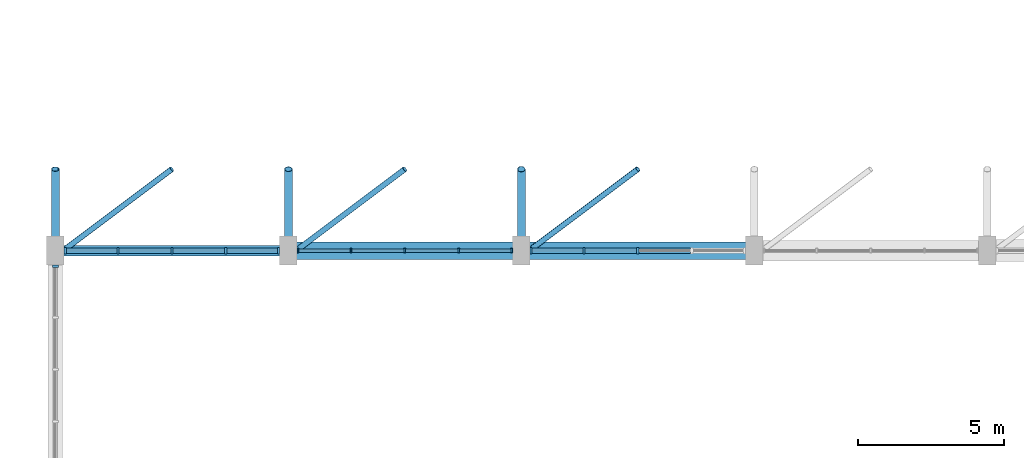
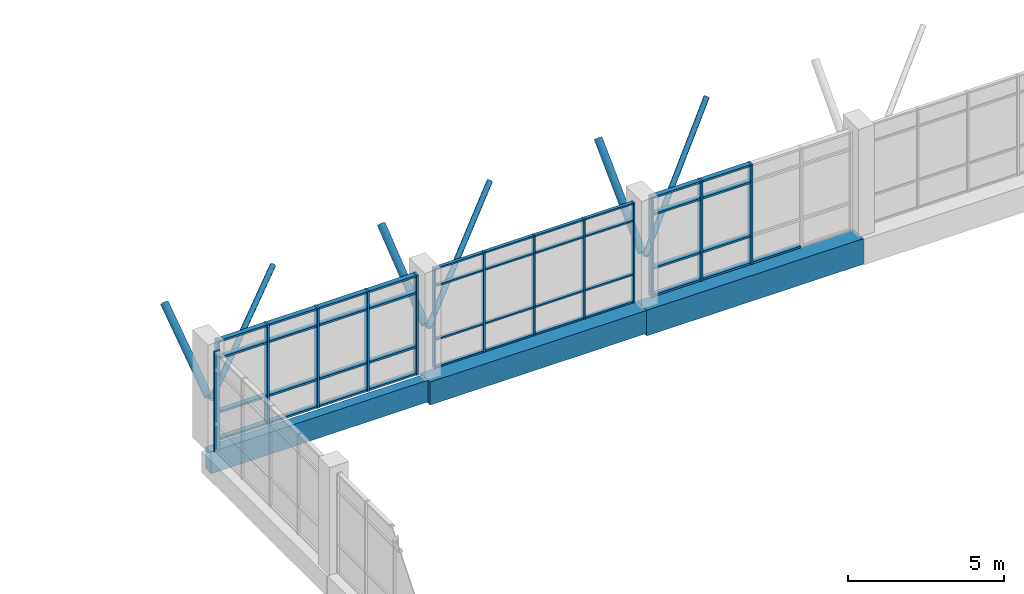
# One storey, part 7 of 44: 61 members, 3 beams, 4 elements without a shape of their own.
"""IFC4 building model written with IfcOpenShell, lengths in metres."""

from ifc_helpers import new_model, si_unit, direction, frame, origin, origin_2d, place, context, subcontext, project, spatial, rectangle, hollow_circle, extrude, material, material_profile, profile_set, type_object, element, aggregate, save


model = new_model("IFC4")

# Units and contexts
model_context = context("Model", 3, precision=1e-05, world=origin(), true_north=direction((0.0, 1.0)))
body_context = subcontext(model_context, "Body", "Model", "MODEL_VIEW")
ifc_project = project(units=[si_unit("LENGTHUNIT", "METRE"), si_unit("AREAUNIT", "SQUARE_METRE"), si_unit("VOLUMEUNIT", "CUBIC_METRE"), si_unit("PLANEANGLEUNIT", "RADIAN"), si_unit("MASSUNIT", "GRAM", prefix="KILO")], contexts=[model_context])

# Site, building, storey
site_placement = place(None, origin())
site = spatial("IfcSite", under=ifc_project, at=site_placement, CompositionType="ELEMENT")
building_placement = place(site_placement, origin())
building = spatial("IfcBuilding", under=site, at=building_placement, Name="Tenunan Teduh Sports Hall", CompositionType="ELEMENT")
storey_placement = place(building_placement, frame((0.0, 0.0, 19.199951171875)))
storey = spatial("IfcBuildingStorey", under=building, at=storey_placement, Name="L04", CompositionType="ELEMENT", Elevation=19.199951171875)

# Beams
ifc_material_1 = material(Name="Concrete C40/50", Category="concrete")
ifc_material_profile_1 = material_profile(ifc_material_1, rectangle(XDim=0.60009765625, YDim=1.0, at=origin_2d()), Name="RCB 600x1000")
ifc_profile_set_1 = profile_set([ifc_material_profile_1], Name="Concrete C40/50")
beam_type_1 = type_object("IfcBeamType", Name="BM-RC-600x1000", PredefinedType="BEAM", material=ifc_profile_set_1)
beam_1_placement = place(storey_placement, frame((22.0, 46.0, -0.77001953125), z_axis=(1.0, 0.0, 0.0), x_axis=(0.0, 1.0, 0.0)))
element("IfcBeam", 1, at=beam_1_placement, inside=storey, type_object=beam_type_1, Name="BM-B-18-L04-2018", PredefinedType="BEAM", context=body_context, shape_type="SweptSolid", body=[
    extrude(rectangle(XDim=0.60009765625, YDim=1.0, at=origin_2d()), origin(), (0.0, 0.0, 1.0), 8.0),
])
ifc_material_2 = material(Name="Concrete C40/50", Category="concrete")
ifc_material_profile_2 = material_profile(ifc_material_2, rectangle(XDim=0.60009765625, YDim=0.89990234375, at=origin_2d()), Name="RCB 600x900")
ifc_profile_set_2 = profile_set([ifc_material_profile_2], Name="Concrete C40/50")
beam_type_2 = type_object("IfcBeamType", Name="BM-RC-600x900", PredefinedType="BEAM", material=ifc_profile_set_2)
beam_2_placement = place(storey_placement, frame((14.0, 46.0, -0.719970703125), z_axis=(1.0, 0.0, 0.0), x_axis=(0.0, 1.0, 0.0)))
element("IfcBeam", 2, at=beam_2_placement, inside=storey, type_object=beam_type_2, Name="BM-B-17-L04-2017", PredefinedType="BEAM", context=body_context, shape_type="SweptSolid", body=[
    extrude(rectangle(XDim=0.60009765625, YDim=0.89990234375, at=origin_2d()), origin(), (0.0, 0.0, 1.0), 8.0),
])
ifc_material_3 = material(Name="Concrete C40/50", Category="concrete")
ifc_material_profile_3 = material_profile(ifc_material_3, rectangle(XDim=0.35009765625, YDim=0.85009765625, at=origin_2d()), Name="SPB 350x850")
ifc_profile_set_3 = profile_set([ifc_material_profile_3], Name="Concrete C40/50")
beam_type_3 = type_object("IfcBeamType", Name="BM-SP-350x850", PredefinedType="SPANDREL", material=ifc_profile_set_3)
beam_3_placement = place(storey_placement, frame((6.0, 46.0, -0.695068359375), z_axis=(1.0, 0.0, 0.0), x_axis=(0.0, 1.0, 0.0)))
element("IfcBeam", 3, at=beam_3_placement, inside=storey, type_object=beam_type_3, Name="BM-SP-02-L04-2016", PredefinedType="SPANDREL", context=body_context, shape_type="SweptSolid", body=[
    extrude(rectangle(XDim=0.35009765625, YDim=0.85009765625, at=origin_2d()), origin(), (0.0, 0.0, 1.0), 8.0),
])

# Curtain wall, members
ifc_material_4 = material(Name="Anodised aluminium", Category="aluminium")
curtain_wall_type = type_object("IfcCurtainWallType", Name="CW-UNIT-2", PredefinedType="NOTDEFINED", material=ifc_material_4)
curtain_wall_1_placement = place(storey_placement, origin())
curtain_wall_1 = element("IfcCurtainWall", 4, at=curtain_wall_1_placement, inside=storey, type_object=curtain_wall_type, Name="CW-CWM-150-L04-095", PredefinedType="NOTDEFINED")
ifc_material_5 = material(Name="Anodised aluminium", Category="aluminium")
ifc_material_profile_4 = material_profile(ifc_material_5, rectangle(XDim=0.06005859375, YDim=0.14990234375, at=origin_2d()), Name="CWM 60x150")
ifc_profile_set_4 = profile_set([ifc_material_profile_4], Name="Anodised aluminium")
member_type_1 = type_object("IfcMemberType", Name="CWM-150", PredefinedType="MULLION", material=ifc_profile_set_4)
member_1_placement = place(storey_placement, frame((14.330078125, 46.0, 0.0), z_axis=(0.0, 0.0, 1.0), x_axis=(1.0, 0.0, 0.0)))
member_1 = element("IfcMember", 5, at=member_1_placement, type_object=member_type_1, Name="CW-02 mullion 1", PredefinedType="MULLION", context=body_context, shape_type="SweptSolid", body=[
    extrude(rectangle(XDim=0.06005859375, YDim=0.14990234375, at=origin_2d()), origin(), (0.0, 0.0, 1.0), 3.900146484375),
])
member_2_placement = place(storey_placement, frame((16.14990234375, 46.0, 0.0), z_axis=(0.0, 0.0, 1.0), x_axis=(1.0, 0.0, 0.0)))
member_2 = element("IfcMember", 6, at=member_2_placement, type_object=member_type_1, Name="CW-02 mullion 2", PredefinedType="MULLION", context=body_context, shape_type="SweptSolid", body=[
    extrude(rectangle(XDim=0.06005859375, YDim=0.14990234375, at=origin_2d()), origin(), (0.0, 0.0, 1.0), 3.900146484375),
])
member_3_placement = place(storey_placement, frame((18.0, 46.0, 0.0), z_axis=(0.0, 0.0, 1.0), x_axis=(1.0, 0.0, 0.0)))
member_3 = element("IfcMember", 7, at=member_3_placement, type_object=member_type_1, Name="CW-02 mullion 3", PredefinedType="MULLION", context=body_context, shape_type="SweptSolid", body=[
    extrude(rectangle(XDim=0.06005859375, YDim=0.14990234375, at=origin_2d()), origin(), (0.0, 0.0, 1.0), 3.900146484375),
])
member_4_placement = place(storey_placement, frame((19.85009765625, 46.0, 0.0), z_axis=(0.0, 0.0, 1.0), x_axis=(1.0, 0.0, 0.0)))
member_4 = element("IfcMember", 8, at=member_4_placement, type_object=member_type_1, Name="CW-02 mullion 4", PredefinedType="MULLION", context=body_context, shape_type="SweptSolid", body=[
    extrude(rectangle(XDim=0.06005859375, YDim=0.14990234375, at=origin_2d()), origin(), (0.0, 0.0, 1.0), 3.900146484375),
])
member_5_placement = place(storey_placement, frame((21.669921875, 46.0, 0.0), z_axis=(0.0, 0.0, 1.0), x_axis=(1.0, 0.0, 0.0)))
member_5 = element("IfcMember", 9, at=member_5_placement, type_object=member_type_1, Name="CW-02 mullion 5", PredefinedType="MULLION", context=body_context, shape_type="SweptSolid", body=[
    extrude(rectangle(XDim=0.06005859375, YDim=0.14990234375, at=origin_2d()), origin(), (0.0, 0.0, 1.0), 3.900146484375),
])

# Curtain wall, member
curtain_wall_2_placement = place(storey_placement, origin())
curtain_wall_2 = element("IfcCurtainWall", 10, at=curtain_wall_2_placement, inside=storey, type_object=curtain_wall_type, Name="CW-CWM-200-L04-108", PredefinedType="NOTDEFINED")
ifc_material_6 = material(Name="Anodised aluminium", Category="aluminium")
ifc_material_profile_5 = material_profile(ifc_material_6, rectangle(XDim=0.070068359375, YDim=0.199951171875, at=origin_2d()), Name="CWM 70x200")
ifc_profile_set_5 = profile_set([ifc_material_profile_5], Name="Anodised aluminium")
member_type_2 = type_object("IfcMemberType", Name="CWM-200", PredefinedType="MULLION", material=ifc_profile_set_5)
member_6_placement = place(storey_placement, frame((6.0, 45.465087890625, 0.0), z_axis=(0.0, 0.0, 1.0), x_axis=(0.0, 1.0, 0.0)))
member_6 = element("IfcMember", 11, at=member_6_placement, type_object=member_type_2, Name="CW-02 mullion 5", PredefinedType="MULLION", context=body_context, shape_type="SweptSolid", body=[
    extrude(rectangle(XDim=0.070068359375, YDim=0.199951171875, at=origin_2d()), origin(), (0.0, 0.0, 1.0), 3.900146484375),
])
aggregate(curtain_wall_2, [member_6])

# Curtain wall, members
curtain_wall_3_placement = place(storey_placement, origin())
curtain_wall_3 = element("IfcCurtainWall", 12, at=curtain_wall_3_placement, inside=storey, type_object=curtain_wall_type, Name="CW-CWM-220-L04-093", PredefinedType="NOTDEFINED")
ifc_material_7 = material(Name="Anodised aluminium", Category="aluminium")
ifc_material_profile_6 = material_profile(ifc_material_7, rectangle(XDim=0.074951171875, YDim=0.219970703125, at=origin_2d()), Name="CWM 75x220")
ifc_profile_set_6 = profile_set([ifc_material_profile_6], Name="Anodised aluminium")
member_type_3 = type_object("IfcMemberType", Name="CWM-220", PredefinedType="MULLION", material=ifc_profile_set_6)
member_7_placement = place(storey_placement, frame((6.33740234375, 46.0, 0.0), z_axis=(0.0, 0.0, 1.0), x_axis=(1.0, 0.0, 0.0)))
member_7 = element("IfcMember", 13, at=member_7_placement, type_object=member_type_3, Name="CW-02 mullion 1", PredefinedType="MULLION", context=body_context, shape_type="SweptSolid", body=[
    extrude(rectangle(XDim=0.074951171875, YDim=0.219970703125, at=origin_2d()), origin(), (0.0, 0.0, 1.0), 3.900146484375),
])
member_8_placement = place(storey_placement, frame((8.14990234375, 46.0, 0.0), z_axis=(0.0, 0.0, 1.0), x_axis=(1.0, 0.0, 0.0)))
member_8 = element("IfcMember", 14, at=member_8_placement, type_object=member_type_3, Name="CW-02 mullion 2", PredefinedType="MULLION", context=body_context, shape_type="SweptSolid", body=[
    extrude(rectangle(XDim=0.074951171875, YDim=0.219970703125, at=origin_2d()), origin(), (0.0, 0.0, 1.0), 3.900146484375),
])
member_9_placement = place(storey_placement, frame((10.0, 46.0, 0.0), z_axis=(0.0, 0.0, 1.0), x_axis=(1.0, 0.0, 0.0)))
member_9 = element("IfcMember", 15, at=member_9_placement, type_object=member_type_3, Name="CW-02 mullion 3", PredefinedType="MULLION", context=body_context, shape_type="SweptSolid", body=[
    extrude(rectangle(XDim=0.074951171875, YDim=0.219970703125, at=origin_2d()), origin(), (0.0, 0.0, 1.0), 3.900146484375),
])
member_10_placement = place(storey_placement, frame((11.85009765625, 46.0, 0.0), z_axis=(0.0, 0.0, 1.0), x_axis=(1.0, 0.0, 0.0)))
member_10 = element("IfcMember", 16, at=member_10_placement, type_object=member_type_3, Name="CW-02 mullion 4", PredefinedType="MULLION", context=body_context, shape_type="SweptSolid", body=[
    extrude(rectangle(XDim=0.074951171875, YDim=0.219970703125, at=origin_2d()), origin(), (0.0, 0.0, 1.0), 3.900146484375),
])
member_11_placement = place(storey_placement, frame((13.66259765625, 46.0, 0.0), z_axis=(0.0, 0.0, 1.0), x_axis=(1.0, 0.0, 0.0)))
member_11 = element("IfcMember", 17, at=member_11_placement, type_object=member_type_3, Name="CW-02 mullion 5", PredefinedType="MULLION", context=body_context, shape_type="SweptSolid", body=[
    extrude(rectangle(XDim=0.074951171875, YDim=0.219970703125, at=origin_2d()), origin(), (0.0, 0.0, 1.0), 3.900146484375),
])

curtain_wall_4_placement = place(storey_placement, origin())
curtain_wall_4 = element("IfcCurtainWall", 18, at=curtain_wall_4_placement, inside=storey, type_object=curtain_wall_type, Name="CW-CWM-220-L04-097", PredefinedType="NOTDEFINED")
member_12_placement = place(storey_placement, frame((22.33740234375, 46.0, 0.0), z_axis=(0.0, 0.0, 1.0), x_axis=(1.0, 0.0, 0.0)))
member_12 = element("IfcMember", 19, at=member_12_placement, type_object=member_type_3, Name="CW-02 mullion 1", PredefinedType="MULLION", context=body_context, shape_type="SweptSolid", body=[
    extrude(rectangle(XDim=0.074951171875, YDim=0.219970703125, at=origin_2d()), origin(), (0.0, 0.0, 1.0), 3.900146484375),
])
member_13_placement = place(storey_placement, frame((24.14990234375, 46.0, 0.0), z_axis=(0.0, 0.0, 1.0), x_axis=(1.0, 0.0, 0.0)))
member_13 = element("IfcMember", 20, at=member_13_placement, type_object=member_type_3, Name="CW-02 mullion 2", PredefinedType="MULLION", context=body_context, shape_type="SweptSolid", body=[
    extrude(rectangle(XDim=0.074951171875, YDim=0.219970703125, at=origin_2d()), origin(), (0.0, 0.0, 1.0), 3.900146484375),
])
member_14_placement = place(storey_placement, frame((26.0, 46.0, 0.0), z_axis=(0.0, 0.0, 1.0), x_axis=(1.0, 0.0, 0.0)))
member_14 = element("IfcMember", 21, at=member_14_placement, type_object=member_type_3, Name="CW-02 mullion 3", PredefinedType="MULLION", context=body_context, shape_type="SweptSolid", body=[
    extrude(rectangle(XDim=0.074951171875, YDim=0.219970703125, at=origin_2d()), origin(), (0.0, 0.0, 1.0), 3.900146484375),
])

# Member
ifc_material_8 = material(Name="Anodised aluminium", Category="aluminium")
ifc_material_profile_7 = material_profile(ifc_material_8, rectangle(XDim=0.06005859375, YDim=0.1201171875, at=origin_2d()), Name="CWT 60x120")
ifc_profile_set_7 = profile_set([ifc_material_profile_7], Name="Anodised aluminium")
member_type_4 = type_object("IfcMemberType", Name="CWT-125", PredefinedType="USERDEFINED", material=ifc_profile_set_7)
member_15_placement = place(storey_placement, frame((14.360107421875, 46.0, 0.030029296875), z_axis=(1.0, 0.0, 0.0), x_axis=(0.0, 0.0, 1.0)))
member_15 = element("IfcMember", 22, at=member_15_placement, type_object=member_type_4, Name="CW-02 transom 1.1", ObjectType="TRANSOM", PredefinedType="USERDEFINED", context=body_context, shape_type="SweptSolid", body=[
    extrude(rectangle(XDim=0.06005859375, YDim=0.1201171875, at=origin_2d()), origin(), (0.0, 0.0, 1.0), 1.760009765625),
])

member_16_placement = place(storey_placement, frame((14.360107421875, 46.0, 1.10009765625), z_axis=(1.0, 0.0, 0.0), x_axis=(0.0, 0.0, 1.0)))
member_16 = element("IfcMember", 23, at=member_16_placement, type_object=member_type_4, Name="CW-02 transom 1.2", ObjectType="TRANSOM", PredefinedType="USERDEFINED", context=body_context, shape_type="SweptSolid", body=[
    extrude(rectangle(XDim=0.06005859375, YDim=0.1201171875, at=origin_2d()), origin(), (0.0, 0.0, 1.0), 1.760009765625),
])

member_17_placement = place(storey_placement, frame((14.360107421875, 46.0, 3.199951171875), z_axis=(1.0, 0.0, 0.0), x_axis=(0.0, 0.0, 1.0)))
member_17 = element("IfcMember", 24, at=member_17_placement, type_object=member_type_4, Name="CW-02 transom 1.3", ObjectType="TRANSOM", PredefinedType="USERDEFINED", context=body_context, shape_type="SweptSolid", body=[
    extrude(rectangle(XDim=0.06005859375, YDim=0.1201171875, at=origin_2d()), origin(), (0.0, 0.0, 1.0), 1.760009765625),
])

member_18_placement = place(storey_placement, frame((14.360107421875, 46.0, 3.8701171875), z_axis=(1.0, 0.0, 0.0), x_axis=(0.0, 0.0, 1.0)))
member_18 = element("IfcMember", 25, at=member_18_placement, type_object=member_type_4, Name="CW-02 transom 1.4", ObjectType="TRANSOM", PredefinedType="USERDEFINED", context=body_context, shape_type="SweptSolid", body=[
    extrude(rectangle(XDim=0.06005859375, YDim=0.1201171875, at=origin_2d()), origin(), (0.0, 0.0, 1.0), 1.760009765625),
])

member_19_placement = place(storey_placement, frame((16.179931640625, 46.0, 0.030029296875), z_axis=(1.0, 0.0, 0.0), x_axis=(0.0, 0.0, 1.0)))
member_19 = element("IfcMember", 26, at=member_19_placement, type_object=member_type_4, Name="CW-02 transom 2.1", ObjectType="TRANSOM", PredefinedType="USERDEFINED", context=body_context, shape_type="SweptSolid", body=[
    extrude(rectangle(XDim=0.06005859375, YDim=0.1201171875, at=origin_2d()), origin(), (0.0, 0.0, 1.0), 1.7900390625),
])

member_20_placement = place(storey_placement, frame((16.179931640625, 46.0, 1.10009765625), z_axis=(1.0, 0.0, 0.0), x_axis=(0.0, 0.0, 1.0)))
member_20 = element("IfcMember", 27, at=member_20_placement, type_object=member_type_4, Name="CW-02 transom 2.2", ObjectType="TRANSOM", PredefinedType="USERDEFINED", context=body_context, shape_type="SweptSolid", body=[
    extrude(rectangle(XDim=0.06005859375, YDim=0.1201171875, at=origin_2d()), origin(), (0.0, 0.0, 1.0), 1.7900390625),
])

member_21_placement = place(storey_placement, frame((16.179931640625, 46.0, 3.199951171875), z_axis=(1.0, 0.0, 0.0), x_axis=(0.0, 0.0, 1.0)))
member_21 = element("IfcMember", 28, at=member_21_placement, type_object=member_type_4, Name="CW-02 transom 2.3", ObjectType="TRANSOM", PredefinedType="USERDEFINED", context=body_context, shape_type="SweptSolid", body=[
    extrude(rectangle(XDim=0.06005859375, YDim=0.1201171875, at=origin_2d()), origin(), (0.0, 0.0, 1.0), 1.7900390625),
])

member_22_placement = place(storey_placement, frame((16.179931640625, 46.0, 3.8701171875), z_axis=(1.0, 0.0, 0.0), x_axis=(0.0, 0.0, 1.0)))
member_22 = element("IfcMember", 29, at=member_22_placement, type_object=member_type_4, Name="CW-02 transom 2.4", ObjectType="TRANSOM", PredefinedType="USERDEFINED", context=body_context, shape_type="SweptSolid", body=[
    extrude(rectangle(XDim=0.06005859375, YDim=0.1201171875, at=origin_2d()), origin(), (0.0, 0.0, 1.0), 1.7900390625),
])

member_23_placement = place(storey_placement, frame((18.030029296875, 46.0, 0.030029296875), z_axis=(1.0, 0.0, 0.0), x_axis=(0.0, 0.0, 1.0)))
member_23 = element("IfcMember", 30, at=member_23_placement, type_object=member_type_4, Name="CW-02 transom 3.1", ObjectType="TRANSOM", PredefinedType="USERDEFINED", context=body_context, shape_type="SweptSolid", body=[
    extrude(rectangle(XDim=0.06005859375, YDim=0.1201171875, at=origin_2d()), origin(), (0.0, 0.0, 1.0), 1.7900390625),
])

member_24_placement = place(storey_placement, frame((18.030029296875, 46.0, 1.10009765625), z_axis=(1.0, 0.0, 0.0), x_axis=(0.0, 0.0, 1.0)))
member_24 = element("IfcMember", 31, at=member_24_placement, type_object=member_type_4, Name="CW-02 transom 3.2", ObjectType="TRANSOM", PredefinedType="USERDEFINED", context=body_context, shape_type="SweptSolid", body=[
    extrude(rectangle(XDim=0.06005859375, YDim=0.1201171875, at=origin_2d()), origin(), (0.0, 0.0, 1.0), 1.7900390625),
])

member_25_placement = place(storey_placement, frame((18.030029296875, 46.0, 3.199951171875), z_axis=(1.0, 0.0, 0.0), x_axis=(0.0, 0.0, 1.0)))
member_25 = element("IfcMember", 32, at=member_25_placement, type_object=member_type_4, Name="CW-02 transom 3.3", ObjectType="TRANSOM", PredefinedType="USERDEFINED", context=body_context, shape_type="SweptSolid", body=[
    extrude(rectangle(XDim=0.06005859375, YDim=0.1201171875, at=origin_2d()), origin(), (0.0, 0.0, 1.0), 1.7900390625),
])

member_26_placement = place(storey_placement, frame((18.030029296875, 46.0, 3.8701171875), z_axis=(1.0, 0.0, 0.0), x_axis=(0.0, 0.0, 1.0)))
member_26 = element("IfcMember", 33, at=member_26_placement, type_object=member_type_4, Name="CW-02 transom 3.4", ObjectType="TRANSOM", PredefinedType="USERDEFINED", context=body_context, shape_type="SweptSolid", body=[
    extrude(rectangle(XDim=0.06005859375, YDim=0.1201171875, at=origin_2d()), origin(), (0.0, 0.0, 1.0), 1.7900390625),
])

member_27_placement = place(storey_placement, frame((19.8798828125, 46.0, 0.030029296875), z_axis=(1.0, 0.0, 0.0), x_axis=(0.0, 0.0, 1.0)))
member_27 = element("IfcMember", 34, at=member_27_placement, type_object=member_type_4, Name="CW-02 transom 4.1", ObjectType="TRANSOM", PredefinedType="USERDEFINED", context=body_context, shape_type="SweptSolid", body=[
    extrude(rectangle(XDim=0.06005859375, YDim=0.1201171875, at=origin_2d()), origin(), (0.0, 0.0, 1.0), 1.760009765625),
])

member_28_placement = place(storey_placement, frame((19.8798828125, 46.0, 1.10009765625), z_axis=(1.0, 0.0, 0.0), x_axis=(0.0, 0.0, 1.0)))
member_28 = element("IfcMember", 35, at=member_28_placement, type_object=member_type_4, Name="CW-02 transom 4.2", ObjectType="TRANSOM", PredefinedType="USERDEFINED", context=body_context, shape_type="SweptSolid", body=[
    extrude(rectangle(XDim=0.06005859375, YDim=0.1201171875, at=origin_2d()), origin(), (0.0, 0.0, 1.0), 1.760009765625),
])

member_29_placement = place(storey_placement, frame((19.8798828125, 46.0, 3.199951171875), z_axis=(1.0, 0.0, 0.0), x_axis=(0.0, 0.0, 1.0)))
member_29 = element("IfcMember", 36, at=member_29_placement, type_object=member_type_4, Name="CW-02 transom 4.3", ObjectType="TRANSOM", PredefinedType="USERDEFINED", context=body_context, shape_type="SweptSolid", body=[
    extrude(rectangle(XDim=0.06005859375, YDim=0.1201171875, at=origin_2d()), origin(), (0.0, 0.0, 1.0), 1.760009765625),
])

member_30_placement = place(storey_placement, frame((19.8798828125, 46.0, 3.8701171875), z_axis=(1.0, 0.0, 0.0), x_axis=(0.0, 0.0, 1.0)))
member_30 = element("IfcMember", 37, at=member_30_placement, type_object=member_type_4, Name="CW-02 transom 4.4", ObjectType="TRANSOM", PredefinedType="USERDEFINED", context=body_context, shape_type="SweptSolid", body=[
    extrude(rectangle(XDim=0.06005859375, YDim=0.1201171875, at=origin_2d()), origin(), (0.0, 0.0, 1.0), 1.760009765625),
])

aggregate(curtain_wall_1, [member_1, member_2, member_3, member_4, member_5, member_15, member_16, member_17, member_18, member_19, member_20, member_21, member_22, member_23, member_24, member_25, member_26, member_27, member_28, member_29, member_30])

ifc_material_9 = material(Name="Anodised aluminium", Category="aluminium")
ifc_material_profile_8 = material_profile(ifc_material_9, rectangle(XDim=0.074951171875, YDim=0.179931640625, at=origin_2d()), Name="CWT 75x180")
ifc_profile_set_8 = profile_set([ifc_material_profile_8], Name="Anodised aluminium")
member_type_5 = type_object("IfcMemberType", Name="CWT-180", PredefinedType="USERDEFINED", material=ifc_profile_set_8)
member_31_placement = place(storey_placement, frame((6.375, 46.0, 0.03759765625), z_axis=(1.0, 0.0, 0.0), x_axis=(0.0, 0.0, 1.0)))
member_31 = element("IfcMember", 38, at=member_31_placement, type_object=member_type_5, Name="CW-02 transom 1.1", ObjectType="TRANSOM", PredefinedType="USERDEFINED", context=body_context, shape_type="SweptSolid", body=[
    extrude(rectangle(XDim=0.074951171875, YDim=0.179931640625, at=origin_2d()), origin(), (0.0, 0.0, 1.0), 1.737548828125),
])

member_32_placement = place(storey_placement, frame((6.375, 46.0, 1.10009765625), z_axis=(1.0, 0.0, 0.0), x_axis=(0.0, 0.0, 1.0)))
member_32 = element("IfcMember", 39, at=member_32_placement, type_object=member_type_5, Name="CW-02 transom 1.2", ObjectType="TRANSOM", PredefinedType="USERDEFINED", context=body_context, shape_type="SweptSolid", body=[
    extrude(rectangle(XDim=0.074951171875, YDim=0.179931640625, at=origin_2d()), origin(), (0.0, 0.0, 1.0), 1.737548828125),
])

member_33_placement = place(storey_placement, frame((6.375, 46.0, 3.199951171875), z_axis=(1.0, 0.0, 0.0), x_axis=(0.0, 0.0, 1.0)))
member_33 = element("IfcMember", 40, at=member_33_placement, type_object=member_type_5, Name="CW-02 transom 1.3", ObjectType="TRANSOM", PredefinedType="USERDEFINED", context=body_context, shape_type="SweptSolid", body=[
    extrude(rectangle(XDim=0.074951171875, YDim=0.179931640625, at=origin_2d()), origin(), (0.0, 0.0, 1.0), 1.737548828125),
])

member_34_placement = place(storey_placement, frame((6.375, 46.0, 3.862548828125), z_axis=(1.0, 0.0, 0.0), x_axis=(0.0, 0.0, 1.0)))
member_34 = element("IfcMember", 41, at=member_34_placement, type_object=member_type_5, Name="CW-02 transom 1.4", ObjectType="TRANSOM", PredefinedType="USERDEFINED", context=body_context, shape_type="SweptSolid", body=[
    extrude(rectangle(XDim=0.074951171875, YDim=0.179931640625, at=origin_2d()), origin(), (0.0, 0.0, 1.0), 1.737548828125),
])

member_35_placement = place(storey_placement, frame((8.1875, 46.0, 0.03759765625), z_axis=(1.0, 0.0, 0.0), x_axis=(0.0, 0.0, 1.0)))
member_35 = element("IfcMember", 42, at=member_35_placement, type_object=member_type_5, Name="CW-02 transom 2.1", ObjectType="TRANSOM", PredefinedType="USERDEFINED", context=body_context, shape_type="SweptSolid", body=[
    extrude(rectangle(XDim=0.074951171875, YDim=0.179931640625, at=origin_2d()), origin(), (0.0, 0.0, 1.0), 1.77490234375),
])

member_36_placement = place(storey_placement, frame((8.1875, 46.0, 1.10009765625), z_axis=(1.0, 0.0, 0.0), x_axis=(0.0, 0.0, 1.0)))
member_36 = element("IfcMember", 43, at=member_36_placement, type_object=member_type_5, Name="CW-02 transom 2.2", ObjectType="TRANSOM", PredefinedType="USERDEFINED", context=body_context, shape_type="SweptSolid", body=[
    extrude(rectangle(XDim=0.074951171875, YDim=0.179931640625, at=origin_2d()), origin(), (0.0, 0.0, 1.0), 1.77490234375),
])

member_37_placement = place(storey_placement, frame((8.1875, 46.0, 3.199951171875), z_axis=(1.0, 0.0, 0.0), x_axis=(0.0, 0.0, 1.0)))
member_37 = element("IfcMember", 44, at=member_37_placement, type_object=member_type_5, Name="CW-02 transom 2.3", ObjectType="TRANSOM", PredefinedType="USERDEFINED", context=body_context, shape_type="SweptSolid", body=[
    extrude(rectangle(XDim=0.074951171875, YDim=0.179931640625, at=origin_2d()), origin(), (0.0, 0.0, 1.0), 1.77490234375),
])

member_38_placement = place(storey_placement, frame((8.1875, 46.0, 3.862548828125), z_axis=(1.0, 0.0, 0.0), x_axis=(0.0, 0.0, 1.0)))
member_38 = element("IfcMember", 45, at=member_38_placement, type_object=member_type_5, Name="CW-02 transom 2.4", ObjectType="TRANSOM", PredefinedType="USERDEFINED", context=body_context, shape_type="SweptSolid", body=[
    extrude(rectangle(XDim=0.074951171875, YDim=0.179931640625, at=origin_2d()), origin(), (0.0, 0.0, 1.0), 1.77490234375),
])

member_39_placement = place(storey_placement, frame((10.03759765625, 46.0, 0.03759765625), z_axis=(1.0, 0.0, 0.0), x_axis=(0.0, 0.0, 1.0)))
member_39 = element("IfcMember", 46, at=member_39_placement, type_object=member_type_5, Name="CW-02 transom 3.1", ObjectType="TRANSOM", PredefinedType="USERDEFINED", context=body_context, shape_type="SweptSolid", body=[
    extrude(rectangle(XDim=0.074951171875, YDim=0.179931640625, at=origin_2d()), origin(), (0.0, 0.0, 1.0), 1.77490234375),
])

member_40_placement = place(storey_placement, frame((10.03759765625, 46.0, 1.10009765625), z_axis=(1.0, 0.0, 0.0), x_axis=(0.0, 0.0, 1.0)))
member_40 = element("IfcMember", 47, at=member_40_placement, type_object=member_type_5, Name="CW-02 transom 3.2", ObjectType="TRANSOM", PredefinedType="USERDEFINED", context=body_context, shape_type="SweptSolid", body=[
    extrude(rectangle(XDim=0.074951171875, YDim=0.179931640625, at=origin_2d()), origin(), (0.0, 0.0, 1.0), 1.77490234375),
])

member_41_placement = place(storey_placement, frame((10.03759765625, 46.0, 3.199951171875), z_axis=(1.0, 0.0, 0.0), x_axis=(0.0, 0.0, 1.0)))
member_41 = element("IfcMember", 48, at=member_41_placement, type_object=member_type_5, Name="CW-02 transom 3.3", ObjectType="TRANSOM", PredefinedType="USERDEFINED", context=body_context, shape_type="SweptSolid", body=[
    extrude(rectangle(XDim=0.074951171875, YDim=0.179931640625, at=origin_2d()), origin(), (0.0, 0.0, 1.0), 1.77490234375),
])

member_42_placement = place(storey_placement, frame((10.03759765625, 46.0, 3.862548828125), z_axis=(1.0, 0.0, 0.0), x_axis=(0.0, 0.0, 1.0)))
member_42 = element("IfcMember", 49, at=member_42_placement, type_object=member_type_5, Name="CW-02 transom 3.4", ObjectType="TRANSOM", PredefinedType="USERDEFINED", context=body_context, shape_type="SweptSolid", body=[
    extrude(rectangle(XDim=0.074951171875, YDim=0.179931640625, at=origin_2d()), origin(), (0.0, 0.0, 1.0), 1.77490234375),
])

member_43_placement = place(storey_placement, frame((11.887451171875, 46.0, 0.03759765625), z_axis=(1.0, 0.0, 0.0), x_axis=(0.0, 0.0, 1.0)))
member_43 = element("IfcMember", 50, at=member_43_placement, type_object=member_type_5, Name="CW-02 transom 4.1", ObjectType="TRANSOM", PredefinedType="USERDEFINED", context=body_context, shape_type="SweptSolid", body=[
    extrude(rectangle(XDim=0.074951171875, YDim=0.179931640625, at=origin_2d()), origin(), (0.0, 0.0, 1.0), 1.737548828125),
])

member_44_placement = place(storey_placement, frame((11.887451171875, 46.0, 1.10009765625), z_axis=(1.0, 0.0, 0.0), x_axis=(0.0, 0.0, 1.0)))
member_44 = element("IfcMember", 51, at=member_44_placement, type_object=member_type_5, Name="CW-02 transom 4.2", ObjectType="TRANSOM", PredefinedType="USERDEFINED", context=body_context, shape_type="SweptSolid", body=[
    extrude(rectangle(XDim=0.074951171875, YDim=0.179931640625, at=origin_2d()), origin(), (0.0, 0.0, 1.0), 1.737548828125),
])

member_45_placement = place(storey_placement, frame((11.887451171875, 46.0, 3.199951171875), z_axis=(1.0, 0.0, 0.0), x_axis=(0.0, 0.0, 1.0)))
member_45 = element("IfcMember", 52, at=member_45_placement, type_object=member_type_5, Name="CW-02 transom 4.3", ObjectType="TRANSOM", PredefinedType="USERDEFINED", context=body_context, shape_type="SweptSolid", body=[
    extrude(rectangle(XDim=0.074951171875, YDim=0.179931640625, at=origin_2d()), origin(), (0.0, 0.0, 1.0), 1.737548828125),
])

member_46_placement = place(storey_placement, frame((11.887451171875, 46.0, 3.862548828125), z_axis=(1.0, 0.0, 0.0), x_axis=(0.0, 0.0, 1.0)))
member_46 = element("IfcMember", 53, at=member_46_placement, type_object=member_type_5, Name="CW-02 transom 4.4", ObjectType="TRANSOM", PredefinedType="USERDEFINED", context=body_context, shape_type="SweptSolid", body=[
    extrude(rectangle(XDim=0.074951171875, YDim=0.179931640625, at=origin_2d()), origin(), (0.0, 0.0, 1.0), 1.737548828125),
])

aggregate(curtain_wall_3, [member_7, member_8, member_9, member_10, member_11, member_31, member_32, member_33, member_34, member_35, member_36, member_37, member_38, member_39, member_40, member_41, member_42, member_43, member_44, member_45, member_46])

member_47_placement = place(storey_placement, frame((22.375, 46.0, 0.03759765625), z_axis=(1.0, 0.0, 0.0), x_axis=(0.0, 0.0, 1.0)))
member_47 = element("IfcMember", 54, at=member_47_placement, type_object=member_type_5, Name="CW-02 transom 1.1", ObjectType="TRANSOM", PredefinedType="USERDEFINED", context=body_context, shape_type="SweptSolid", body=[
    extrude(rectangle(XDim=0.074951171875, YDim=0.179931640625, at=origin_2d()), origin(), (0.0, 0.0, 1.0), 1.737548828125),
])

member_48_placement = place(storey_placement, frame((22.375, 46.0, 1.10009765625), z_axis=(1.0, 0.0, 0.0), x_axis=(0.0, 0.0, 1.0)))
member_48 = element("IfcMember", 55, at=member_48_placement, type_object=member_type_5, Name="CW-02 transom 1.2", ObjectType="TRANSOM", PredefinedType="USERDEFINED", context=body_context, shape_type="SweptSolid", body=[
    extrude(rectangle(XDim=0.074951171875, YDim=0.179931640625, at=origin_2d()), origin(), (0.0, 0.0, 1.0), 1.737548828125),
])

member_49_placement = place(storey_placement, frame((22.375, 46.0, 3.199951171875), z_axis=(1.0, 0.0, 0.0), x_axis=(0.0, 0.0, 1.0)))
member_49 = element("IfcMember", 56, at=member_49_placement, type_object=member_type_5, Name="CW-02 transom 1.3", ObjectType="TRANSOM", PredefinedType="USERDEFINED", context=body_context, shape_type="SweptSolid", body=[
    extrude(rectangle(XDim=0.074951171875, YDim=0.179931640625, at=origin_2d()), origin(), (0.0, 0.0, 1.0), 1.737548828125),
])

member_50_placement = place(storey_placement, frame((22.375, 46.0, 3.862548828125), z_axis=(1.0, 0.0, 0.0), x_axis=(0.0, 0.0, 1.0)))
member_50 = element("IfcMember", 57, at=member_50_placement, type_object=member_type_5, Name="CW-02 transom 1.4", ObjectType="TRANSOM", PredefinedType="USERDEFINED", context=body_context, shape_type="SweptSolid", body=[
    extrude(rectangle(XDim=0.074951171875, YDim=0.179931640625, at=origin_2d()), origin(), (0.0, 0.0, 1.0), 1.737548828125),
])

member_51_placement = place(storey_placement, frame((24.1875, 46.0, 0.03759765625), z_axis=(1.0, 0.0, 0.0), x_axis=(0.0, 0.0, 1.0)))
member_51 = element("IfcMember", 58, at=member_51_placement, type_object=member_type_5, Name="CW-02 transom 2.1", ObjectType="TRANSOM", PredefinedType="USERDEFINED", context=body_context, shape_type="SweptSolid", body=[
    extrude(rectangle(XDim=0.074951171875, YDim=0.179931640625, at=origin_2d()), origin(), (0.0, 0.0, 1.0), 1.77490234375),
])

member_52_placement = place(storey_placement, frame((24.1875, 46.0, 1.10009765625), z_axis=(1.0, 0.0, 0.0), x_axis=(0.0, 0.0, 1.0)))
member_52 = element("IfcMember", 59, at=member_52_placement, type_object=member_type_5, Name="CW-02 transom 2.2", ObjectType="TRANSOM", PredefinedType="USERDEFINED", context=body_context, shape_type="SweptSolid", body=[
    extrude(rectangle(XDim=0.074951171875, YDim=0.179931640625, at=origin_2d()), origin(), (0.0, 0.0, 1.0), 1.77490234375),
])

member_53_placement = place(storey_placement, frame((24.1875, 46.0, 3.199951171875), z_axis=(1.0, 0.0, 0.0), x_axis=(0.0, 0.0, 1.0)))
member_53 = element("IfcMember", 60, at=member_53_placement, type_object=member_type_5, Name="CW-02 transom 2.3", ObjectType="TRANSOM", PredefinedType="USERDEFINED", context=body_context, shape_type="SweptSolid", body=[
    extrude(rectangle(XDim=0.074951171875, YDim=0.179931640625, at=origin_2d()), origin(), (0.0, 0.0, 1.0), 1.77490234375),
])

member_54_placement = place(storey_placement, frame((24.1875, 46.0, 3.862548828125), z_axis=(1.0, 0.0, 0.0), x_axis=(0.0, 0.0, 1.0)))
member_54 = element("IfcMember", 61, at=member_54_placement, type_object=member_type_5, Name="CW-02 transom 2.4", ObjectType="TRANSOM", PredefinedType="USERDEFINED", context=body_context, shape_type="SweptSolid", body=[
    extrude(rectangle(XDim=0.074951171875, YDim=0.179931640625, at=origin_2d()), origin(), (0.0, 0.0, 1.0), 1.77490234375),
])

member_55_placement = place(storey_placement, frame((26.03759765625, 46.0, 0.03759765625), z_axis=(1.0, 0.0, 0.0), x_axis=(0.0, 0.0, 1.0)))
member_55 = element("IfcMember", 62, at=member_55_placement, type_object=member_type_5, Name="CW-02 transom 3.1", ObjectType="TRANSOM", PredefinedType="USERDEFINED", context=body_context, shape_type="SweptSolid", body=[
    extrude(rectangle(XDim=0.074951171875, YDim=0.179931640625, at=origin_2d()), origin(), (0.0, 0.0, 1.0), 1.77490234375),
])

aggregate(curtain_wall_4, [member_12, member_13, member_14, member_47, member_48, member_49, member_50, member_51, member_52, member_53, member_54, member_55])

# Members
ifc_material_10 = material(Name="Steel S355", Category="steel")
ifc_material_profile_9 = material_profile(ifc_material_10, hollow_circle(Radius=0.096923828125, WallThickness=0.008056640625, at=origin_2d()), Name="CHS 193.7x8.0")
ifc_profile_set_9 = profile_set([ifc_material_profile_9], Name="Steel S355")
member_type_6 = type_object("IfcMemberType", Name="MEM-BR-CHS194", PredefinedType="BRACE", material=ifc_profile_set_9)
member_56_placement = place(storey_placement, frame((6.0, 45.800048828125, 1.800048828125), z_axis=(0.741953988279, 0.556465491209, 0.373965822462), x_axis=(-0.6, 0.8, 0.0)))
element("IfcMember", 63, at=member_56_placement, inside=storey, type_object=member_type_6, Name="MEM-GD-03-L04-0419", PredefinedType="BRACE", context=body_context, shape_type="SweptSolid", body=[
    extrude(hollow_circle(Radius=0.096923828125, WallThickness=0.008056640625, at=origin_2d()), origin(), (0.0, 0.0, 1.0), 5.39111328125),
])
member_57_placement = place(storey_placement, frame((14.0, 45.800048828125, 1.800048828125), z_axis=(0.715960769164, 0.536970576873, 0.446164517405), x_axis=(-0.6, 0.8, 0.0)))
element("IfcMember", 64, at=member_57_placement, inside=storey, type_object=member_type_6, Name="MEM-GD-03-L04-0435", PredefinedType="BRACE", context=body_context, shape_type="SweptSolid", body=[
    extrude(hollow_circle(Radius=0.096923828125, WallThickness=0.008056640625, at=origin_2d()), origin(), (0.0, 0.0, 1.0), 5.5869140625),
])
member_58_placement = place(storey_placement, frame((22.0, 45.800048828125, 1.800048828125), z_axis=(0.687854304941, 0.515890728706, 0.510600833538), x_axis=(-0.6, 0.8, 0.0)))
element("IfcMember", 65, at=member_58_placement, inside=storey, type_object=member_type_6, Name="MEM-GD-03-L04-0451", PredefinedType="BRACE", context=body_context, shape_type="SweptSolid", body=[
    extrude(hollow_circle(Radius=0.096923828125, WallThickness=0.008056640625, at=origin_2d()), origin(), (0.0, 0.0, 1.0), 5.815185546875),
])
ifc_material_11 = material(Name="Steel S355", Category="steel")
ifc_material_profile_10 = material_profile(ifc_material_11, hollow_circle(Radius=0.136474609375, WallThickness=0.010009765625, at=origin_2d()), Name="CHS 273.0x10.0")
ifc_profile_set_10 = profile_set([ifc_material_profile_10], Name="Steel S355")
member_type_7 = type_object("IfcMemberType", Name="MEM-ST-CHS273", PredefinedType="STRUT", material=ifc_profile_set_10)
member_59_placement = place(storey_placement, frame((6.0, 46.0, 1.800048828125), z_axis=(0.0, 0.821725060058, 0.569884133551), x_axis=(-1.0, 0.0, 0.0)))
element("IfcMember", 66, at=member_59_placement, inside=storey, type_object=member_type_7, Name="MEM-VS-04-L04-0411", PredefinedType="STRUT", context=body_context, shape_type="SweptSolid", body=[
    extrude(hollow_circle(Radius=0.136474609375, WallThickness=0.010009765625, at=origin_2d()), origin(), (0.0, 0.0, 1.0), 3.407470703125),
])
member_60_placement = place(storey_placement, frame((14.0, 46.0, 1.800048828125), z_axis=(0.0, 0.784232972207, 0.620466473956), x_axis=(-1.0, 0.0, 0.0)))
element("IfcMember", 67, at=member_60_placement, inside=storey, type_object=member_type_7, Name="MEM-VS-04-L04-0427", PredefinedType="STRUT", context=body_context, shape_type="SweptSolid", body=[
    extrude(hollow_circle(Radius=0.136474609375, WallThickness=0.010009765625, at=origin_2d()), origin(), (0.0, 0.0, 1.0), 3.5703125),
])
member_61_placement = place(storey_placement, frame((22.0, 46.0, 1.800048828125), z_axis=(0.0, 0.711404619059, 0.702782660558), x_axis=(-1.0, 0.0, 0.0)))
element("IfcMember", 68, at=member_61_placement, inside=storey, type_object=member_type_7, Name="MEM-VS-04-L04-0443", PredefinedType="STRUT", context=body_context, shape_type="SweptSolid", body=[
    extrude(hollow_circle(Radius=0.136474609375, WallThickness=0.010009765625, at=origin_2d()), origin(), (0.0, 0.0, 1.0), 3.93603515625),
])

save(model, "model.ifc")
